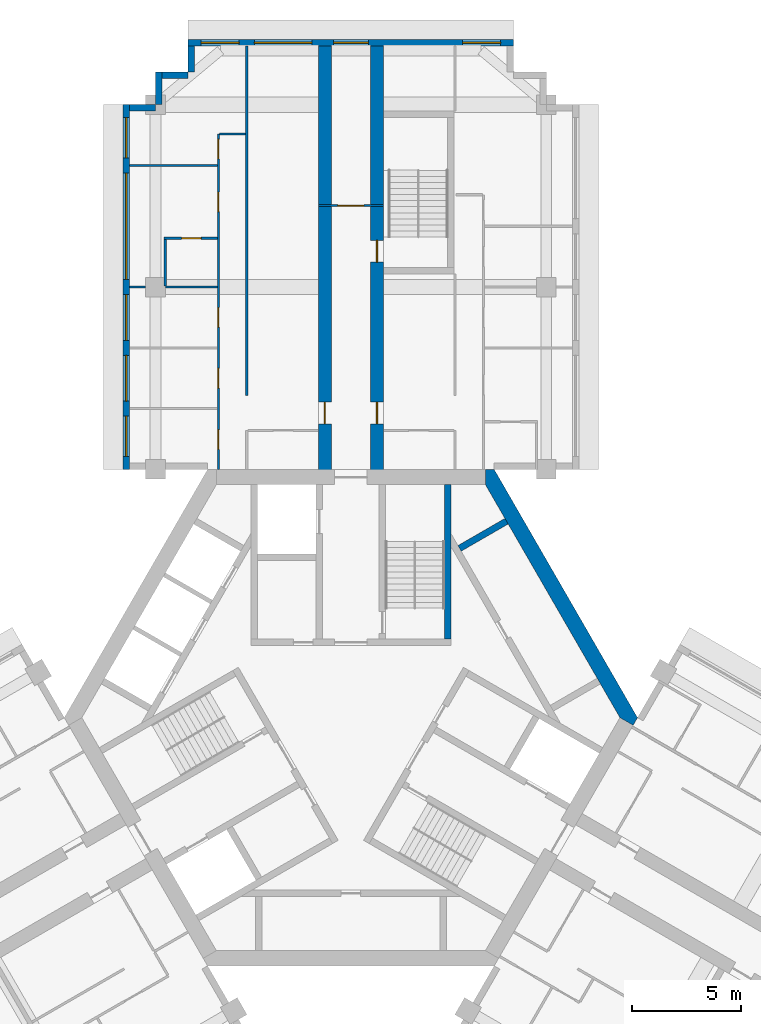
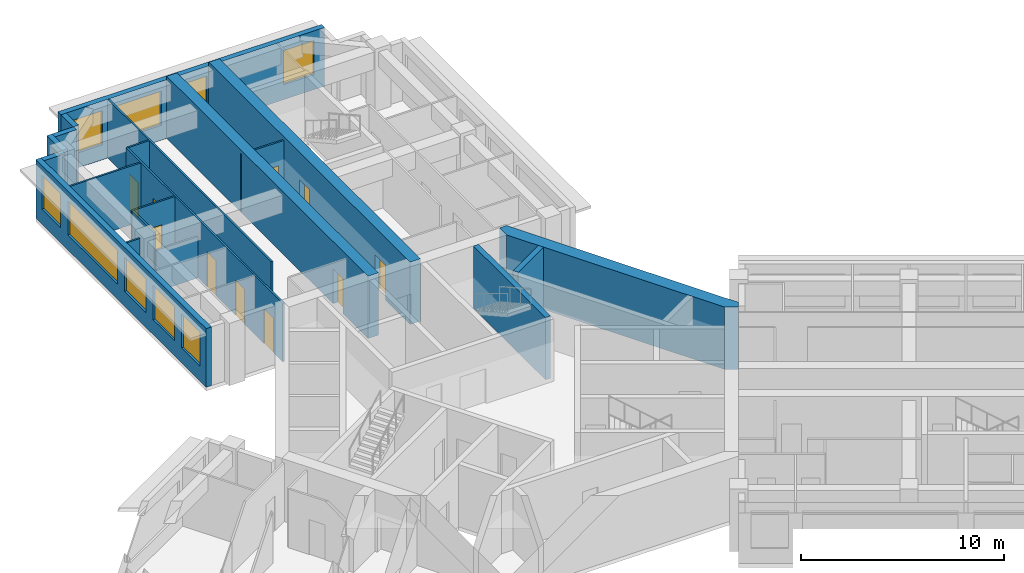
# One storey, part 7 of 10: 20 walls, 10 doors, 9 windows, 19 openings.
"""IFC4 building model written with IfcOpenShell, lengths in metres."""

from ifc_helpers import new_model, si_unit, direction, frame, frame_2d, origin, place, context, subcontext, project, spatial, polyline, rectangle, outline, extrude, material, layer, layer_set, type_object, element, fill, save


model = new_model("IFC4")

# Units and contexts
model_context = context("Model", 3, precision=1e-05, world=origin(), true_north=direction((0.0, 1.0)))
body_context = subcontext(model_context, "Body", "Model", "MODEL_VIEW")
ifc_project = project(units=[si_unit("LENGTHUNIT", "METRE"), si_unit("AREAUNIT", "SQUARE_METRE"), si_unit("VOLUMEUNIT", "CUBIC_METRE"), si_unit("PLANEANGLEUNIT", "RADIAN"), si_unit("MASSUNIT", "GRAM", prefix="KILO")], contexts=[model_context])

# Site, building, storey
site_placement = place(None, origin())
site = spatial("IfcSite", under=ifc_project, at=site_placement, CompositionType="ELEMENT")
building_placement = place(site_placement, origin())
building = spatial("IfcBuilding", under=site, at=building_placement, Name="Impinga Residences", CompositionType="ELEMENT")
storey_placement = place(building_placement, frame((0.0, 0.0, 233.5)))
storey = spatial("IfcBuildingStorey", under=building, at=storey_placement, Name="L58", CompositionType="ELEMENT", Elevation=233.5)

# Wall, opening, door
ifc_material_1 = material(Name="Concrete C60/75", Category="concrete")
ifc_layer_1 = layer(ifc_material_1, 0.60009765625)
ifc_layer_set_1 = layer_set([ifc_layer_1], Name="Concrete C60/75")
wall_type_1 = type_object("IfcWallType", Name="BW3 corridor buttress wall, L46 to L73 600", PredefinedType="SHEAR", material=ifc_layer_set_1)
wall_1_placement = place(storey_placement, frame((-1.199951171875, 11.08154296875, 0.0), z_axis=(0.0, 0.0, 1.0), x_axis=(0.0, 1.0, 0.0)))
wall_1 = element("IfcWall", 1, at=wall_1_placement, inside=storey, type_object=wall_type_1, Name="Corridor wall BW3 NC L58", PredefinedType="SHEAR", context=body_context, shape_type="SweptSolid", body=[
    extrude(rectangle(XDim=19.85009765625, YDim=0.60009765625, at=frame_2d((9.925048828125, 0.0))), origin(), (0.0, 0.0, 1.0), 3.75),
])
opening_1_placement = place(wall_1_placement, frame((2.449951171875, 0.0, 0.0)))
opening_1 = element("IfcOpeningElement", 2, at=opening_1_placement, cuts=wall_1, Name="Opening D1", PredefinedType="OPENING", context=body_context, shape_type="SweptSolid", body=[
    extrude(rectangle(XDim=1.0, YDim=2.10009765625, at=frame_2d((0.5, 1.050048828125))), frame((0.0, 0.31005859375, 0.0), z_axis=(0.0, -1.0, 0.0), x_axis=(1.0, 0.0, 0.0)), (0.0, 0.0, 1.0), 0.6201171875),
])
ifc_material_2 = material(Name="Timber door set", Category="wood")
door_type_1 = type_object("IfcDoorType", Name="D1 apartment entrance door 1000x2100", OperationType="SINGLE_SWING_LEFT", PredefinedType="DOOR", material=ifc_material_2)
door_1_placement = place(opening_1_placement, origin())
door_1 = element("IfcDoor", 3, at=door_1_placement, inside=storey, type_object=door_type_1, Name="Apartment L58-NA1 entrance", OperationType="SINGLE_SWING_LEFT", OverallHeight=2.10009765625, OverallWidth=1.0, PredefinedType="DOOR", context=body_context, shape_type="SweptSolid", body=[
    extrude(rectangle(XDim=1.0, YDim=2.10009765625, at=frame_2d((0.5, 1.050048828125))), frame((0.0, 0.02490234375, 0.0), z_axis=(0.0, -1.0, 0.0), x_axis=(1.0, 0.0, 0.0)), (0.0, 0.0, 1.0), 0.050048828125),
])
fill(opening_1, door_1)

# Wall, openings, doors
wall_2_placement = place(storey_placement, frame((1.199951171875, 11.08154296875, 0.0), z_axis=(0.0, 0.0, 1.0), x_axis=(0.0, 1.0, 0.0)))
wall_2 = element("IfcWall", 4, at=wall_2_placement, inside=storey, type_object=wall_type_1, Name="Corridor wall BW3 ND L58", PredefinedType="SHEAR", context=body_context, shape_type="SweptSolid", body=[
    extrude(rectangle(XDim=19.85009765625, YDim=0.60009765625, at=frame_2d((9.925048828125, 0.0))), origin(), (0.0, 0.0, 1.0), 3.75),
])
opening_2_placement = place(wall_2_placement, frame((9.89990234375, 0.0, 0.0)))
opening_2 = element("IfcOpeningElement", 5, at=opening_2_placement, cuts=wall_2, Name="Opening D5", PredefinedType="OPENING", context=body_context, shape_type="SweptSolid", body=[
    extrude(rectangle(XDim=1.0, YDim=2.10009765625, at=frame_2d((0.5, 1.050048828125))), frame((0.0, 0.31005859375, 0.0), z_axis=(0.0, -1.0, 0.0), x_axis=(1.0, 0.0, 0.0)), (0.0, 0.0, 1.0), 0.6201171875),
])
opening_3_placement = place(wall_2_placement, frame((2.449951171875, 0.0, 0.0)))
opening_3 = element("IfcOpeningElement", 6, at=opening_3_placement, cuts=wall_2, Name="Opening D1", PredefinedType="OPENING", context=body_context, shape_type="SweptSolid", body=[
    extrude(rectangle(XDim=1.0, YDim=2.10009765625, at=frame_2d((0.5, 1.050048828125))), frame((0.0, 0.31005859375, 0.0), z_axis=(0.0, -1.0, 0.0), x_axis=(1.0, 0.0, 0.0)), (0.0, 0.0, 1.0), 0.6201171875),
])
door_2_placement = place(opening_3_placement, origin())
door_2 = element("IfcDoor", 7, at=door_2_placement, inside=storey, type_object=door_type_1, Name="Apartment L58-NF1 entrance", OperationType="SINGLE_SWING_LEFT", OverallHeight=2.10009765625, OverallWidth=1.0, PredefinedType="DOOR", context=body_context, shape_type="SweptSolid", body=[
    extrude(rectangle(XDim=1.0, YDim=2.10009765625, at=frame_2d((0.5, 1.050048828125))), frame((0.0, 0.02490234375, 0.0), z_axis=(0.0, -1.0, 0.0), x_axis=(1.0, 0.0, 0.0)), (0.0, 0.0, 1.0), 0.050048828125),
])
fill(opening_3, door_2)
door_type_2 = type_object("IfcDoorType", Name="D5 stair door 1000x2100", OperationType="SINGLE_SWING_LEFT", PredefinedType="DOOR", material=ifc_material_2)
door_3_placement = place(opening_2_placement, origin())
door_3 = element("IfcDoor", 8, at=door_3_placement, inside=storey, type_object=door_type_2, Name="Wing stair door N", OperationType="SINGLE_SWING_RIGHT", OverallHeight=2.10009765625, OverallWidth=1.0, PredefinedType="DOOR", context=body_context, shape_type="SweptSolid", body=[
    extrude(rectangle(XDim=1.0, YDim=2.10009765625, at=frame_2d((0.5, 1.050048828125))), frame((0.0, 0.02490234375, 0.0), z_axis=(0.0, -1.0, 0.0), x_axis=(1.0, 0.0, 0.0)), (0.0, 0.0, 1.0), 0.050048828125),
])
fill(opening_2, door_3)

# Wall, opening, door
ifc_material_3 = material(Name="Concrete blockwork", Category="masonry")
ifc_layer_2 = layer(ifc_material_3, 0.10009765625)
ifc_layer_set_2 = layer_set([ifc_layer_2], Name="CP1 core room partition, blockwork 100")
wall_type_2 = type_object("IfcWallType", Name="CP1 core room partition, blockwork 100", PredefinedType="PARTITIONING", material=ifc_layer_set_2)
wall_3_placement = place(storey_placement, frame((-1.5, 23.58154296875, 0.0), z_axis=(0.0, 0.0, 1.0), x_axis=(1.0, 0.0, 0.0)))
wall_3 = element("IfcWall", 9, at=wall_3_placement, inside=storey, type_object=wall_type_2, Name="Core room partition, blockwork L58:N:LNG", PredefinedType="PARTITIONING", context=body_context, shape_type="SweptSolid", body=[
    extrude(rectangle(XDim=3.0, YDim=0.10009765625, at=frame_2d((1.5, 0.0))), origin(), (0.0, 0.0, 1.0), 3.530029296875),
])
opening_4_placement = place(wall_3_placement, frame((0.89990234375, 0.0, 0.0)))
opening_4 = element("IfcOpeningElement", 10, at=opening_4_placement, cuts=wall_3, Name="Opening D3", PredefinedType="OPENING", context=body_context, shape_type="SweptSolid", body=[
    extrude(rectangle(XDim=1.199951171875, YDim=2.10009765625, at=frame_2d((0.60009765625, 1.050048828125))), frame((0.0, 0.06005859375, 0.0), z_axis=(0.0, -1.0, 0.0), x_axis=(1.0, 0.0, 0.0)), (0.0, 0.0, 1.0), 0.1201171875),
])
door_type_3 = type_object("IfcDoorType", Name="D3 room door, leaf and a half 1200x2100", OperationType="DOUBLE_SWING_LEFT", PredefinedType="DOOR", material=ifc_material_2)
door_4_placement = place(opening_4_placement, origin())
door_4 = element("IfcDoor", 11, at=door_4_placement, inside=storey, type_object=door_type_3, Name="Residents' lounge door N", OperationType="DOUBLE_SWING_LEFT", OverallHeight=2.10009765625, OverallWidth=1.199951171875, PredefinedType="DOOR", context=body_context, shape_type="SweptSolid", body=[
    extrude(rectangle(XDim=1.199951171875, YDim=2.10009765625, at=frame_2d((0.60009765625, 1.050048828125))), frame((0.0, 0.02490234375, 0.0), z_axis=(0.0, -1.0, 0.0), x_axis=(1.0, 0.0, 0.0)), (0.0, 0.0, 1.0), 0.050048828125),
])
fill(opening_4, door_4)

# Wall, openings, windows
ifc_material_4 = material(Name="Terracotta rainscreen on blockwork", Category="masonry")
ifc_layer_3 = layer(ifc_material_4, 0.300048828125)
ifc_layer_set_3 = layer_set([ifc_layer_3], Name="EW1 external wall, terracotta rainscreen on blockwork 300")
wall_type_3 = type_object("IfcWallType", Name="EW1 external wall, terracotta rainscreen on blockwork 300", PredefinedType="SOLIDWALL", material=ifc_layer_set_3)
wall_4_placement = place(storey_placement, frame((-10.35009765625, 11.431640625, 0.0), z_axis=(0.0, 0.0, 1.0), x_axis=(0.0, 1.0, 0.0)))
wall_4 = element("IfcWall", 12, at=wall_4_placement, inside=storey, type_object=wall_type_3, Name="External wall EW1 L58", PredefinedType="SOLIDWALL", context=body_context, shape_type="SweptSolid", body=[
    extrude(rectangle(XDim=16.7998046875, YDim=0.300048828125, at=frame_2d((8.39990234375, 0.0))), origin(), (0.0, 0.0, 1.0), 3.530029296875),
])
opening_5_placement = place(wall_4_placement, frame((0.60009765625, 0.0, 0.89990234375)))
opening_5 = element("IfcOpeningElement", 13, at=opening_5_placement, cuts=wall_4, Name="Opening W15", PredefinedType="OPENING", context=body_context, shape_type="SweptSolid", body=[
    extrude(rectangle(XDim=1.85009765625, YDim=2.050048828125, at=frame_2d((0.925048828125, 1.02490234375))), frame((0.0, 0.159912109375, 0.0), z_axis=(0.0, -1.0, 0.0), x_axis=(1.0, 0.0, 0.0)), (0.0, 0.0, 1.0), 0.320068359375),
])
opening_6_placement = place(wall_4_placement, frame((3.14990234375, 0.0, 0.89990234375)))
opening_6 = element("IfcOpeningElement", 14, at=opening_6_placement, cuts=wall_4, Name="Opening W9", PredefinedType="OPENING", context=body_context, shape_type="SweptSolid", body=[
    extrude(rectangle(XDim=2.10009765625, YDim=2.050048828125, at=frame_2d((1.050048828125, 1.02490234375))), frame((0.0, 0.159912109375, 0.0), z_axis=(0.0, -1.0, 0.0), x_axis=(1.0, 0.0, 0.0)), (0.0, 0.0, 1.0), 0.320068359375),
])
opening_7_placement = place(wall_4_placement, frame((5.949951171875, 0.0, 0.89990234375)))
opening_7 = element("IfcOpeningElement", 15, at=opening_7_placement, cuts=wall_4, Name="Opening W9", PredefinedType="OPENING", context=body_context, shape_type="SweptSolid", body=[
    extrude(rectangle(XDim=2.10009765625, YDim=2.050048828125, at=frame_2d((1.050048828125, 1.02490234375))), frame((0.0, 0.159912109375, 0.0), z_axis=(0.0, -1.0, 0.0), x_axis=(1.0, 0.0, 0.0)), (0.0, 0.0, 1.0), 0.320068359375),
])
opening_8_placement = place(wall_4_placement, frame((8.75, 0.0, 0.89990234375)))
opening_8 = element("IfcOpeningElement", 16, at=opening_8_placement, cuts=wall_4, Name="Opening W16", PredefinedType="OPENING", context=body_context, shape_type="SweptSolid", body=[
    extrude(rectangle(XDim=4.89990234375, YDim=2.050048828125, at=frame_2d((2.449951171875, 1.02490234375))), frame((0.0, 0.159912109375, 0.0), z_axis=(0.0, -1.0, 0.0), x_axis=(1.0, 0.0, 0.0)), (0.0, 0.0, 1.0), 0.320068359375),
])
opening_9_placement = place(wall_4_placement, frame((14.35009765625, 0.0, 0.89990234375)))
opening_9 = element("IfcOpeningElement", 17, at=opening_9_placement, cuts=wall_4, Name="Opening W15", PredefinedType="OPENING", context=body_context, shape_type="SweptSolid", body=[
    extrude(rectangle(XDim=1.85009765625, YDim=2.050048828125, at=frame_2d((0.925048828125, 1.02490234375))), frame((0.0, 0.159912109375, 0.0), z_axis=(0.0, -1.0, 0.0), x_axis=(1.0, 0.0, 0.0)), (0.0, 0.0, 1.0), 0.320068359375),
])
ifc_material_5 = material(Name="Aluminium window, clear double glazing", Category="aluminium")
window_type_1 = type_object("IfcWindowType", Name="W15 ribbon window 1850x2050", PartitioningType="SINGLE_PANEL", PredefinedType="WINDOW", material=ifc_material_5)
window_1_placement = place(opening_5_placement, origin())
window_1 = element("IfcWindow", 18, at=window_1_placement, inside=storey, type_object=window_type_1, Name="Window L58", OverallHeight=2.050048828125, OverallWidth=1.85009765625, PartitioningType="SINGLE_PANEL", PredefinedType="WINDOW", context=body_context, shape_type="SweptSolid", body=[
    extrude(rectangle(XDim=1.85009765625, YDim=2.050048828125, at=frame_2d((0.925048828125, 1.02490234375))), frame((0.0, 0.030029296875, 0.0), z_axis=(0.0, -1.0, 0.0), x_axis=(1.0, 0.0, 0.0)), (0.0, 0.0, 1.0), 0.06005859375),
])
fill(opening_5, window_1)
window_2_placement = place(opening_9_placement, origin())
window_2 = element("IfcWindow", 19, at=window_2_placement, inside=storey, type_object=window_type_1, Name="Window L58", OverallHeight=2.050048828125, OverallWidth=1.85009765625, PartitioningType="SINGLE_PANEL", PredefinedType="WINDOW", context=body_context, shape_type="SweptSolid", body=[
    extrude(rectangle(XDim=1.85009765625, YDim=2.050048828125, at=frame_2d((0.925048828125, 1.02490234375))), frame((0.0, 0.030029296875, 0.0), z_axis=(0.0, -1.0, 0.0), x_axis=(1.0, 0.0, 0.0)), (0.0, 0.0, 1.0), 0.06005859375),
])
fill(opening_9, window_2)
window_type_2 = type_object("IfcWindowType", Name="W16 ribbon window 4900x2050", PartitioningType="SINGLE_PANEL", PredefinedType="WINDOW", material=ifc_material_5)
window_3_placement = place(opening_8_placement, origin())
window_3 = element("IfcWindow", 20, at=window_3_placement, inside=storey, type_object=window_type_2, Name="Window L58", OverallHeight=2.050048828125, OverallWidth=4.89990234375, PartitioningType="SINGLE_PANEL", PredefinedType="WINDOW", context=body_context, shape_type="SweptSolid", body=[
    extrude(rectangle(XDim=4.89990234375, YDim=2.050048828125, at=frame_2d((2.449951171875, 1.02490234375))), frame((0.0, 0.030029296875, 0.0), z_axis=(0.0, -1.0, 0.0), x_axis=(1.0, 0.0, 0.0)), (0.0, 0.0, 1.0), 0.06005859375),
])
fill(opening_8, window_3)
window_type_3 = type_object("IfcWindowType", Name="W9 ribbon window 2100x2050", PartitioningType="SINGLE_PANEL", PredefinedType="WINDOW", material=ifc_material_5)
window_4_placement = place(opening_6_placement, origin())
window_4 = element("IfcWindow", 21, at=window_4_placement, inside=storey, type_object=window_type_3, Name="Window L58", OverallHeight=2.050048828125, OverallWidth=2.10009765625, PartitioningType="SINGLE_PANEL", PredefinedType="WINDOW", context=body_context, shape_type="SweptSolid", body=[
    extrude(rectangle(XDim=2.10009765625, YDim=2.050048828125, at=frame_2d((1.050048828125, 1.02490234375))), frame((0.0, 0.030029296875, 0.0), z_axis=(0.0, -1.0, 0.0), x_axis=(1.0, 0.0, 0.0)), (0.0, 0.0, 1.0), 0.06005859375),
])
fill(opening_6, window_4)
window_5_placement = place(opening_7_placement, origin())
window_5 = element("IfcWindow", 22, at=window_5_placement, inside=storey, type_object=window_type_3, Name="Window L58", OverallHeight=2.050048828125, OverallWidth=2.10009765625, PartitioningType="SINGLE_PANEL", PredefinedType="WINDOW", context=body_context, shape_type="SweptSolid", body=[
    extrude(rectangle(XDim=2.10009765625, YDim=2.050048828125, at=frame_2d((1.050048828125, 1.02490234375))), frame((0.0, 0.030029296875, 0.0), z_axis=(0.0, -1.0, 0.0), x_axis=(1.0, 0.0, 0.0)), (0.0, 0.0, 1.0), 0.06005859375),
])
fill(opening_7, window_5)

# Walls
wall_5_placement = place(storey_placement, frame((-10.199951171875, 28.08154296875, 0.0), z_axis=(0.0, 0.0, 1.0), x_axis=(1.0, 0.0, 0.0)))
element("IfcWall", 23, at=wall_5_placement, inside=storey, type_object=wall_type_3, Name="External wall EW1 L58", PredefinedType="SOLIDWALL", context=body_context, shape_type="SweptSolid", body=[
    extrude(rectangle(XDim=1.199951171875, YDim=0.300048828125, at=frame_2d((0.60009765625, 0.0))), origin(), (0.0, 0.0, 1.0), 3.530029296875),
])
wall_6_placement = place(storey_placement, frame((-8.85009765625, 28.236572265625, 0.0), z_axis=(0.0, 0.0, 1.0), x_axis=(0.0, 1.0, 0.0)))
element("IfcWall", 24, at=wall_6_placement, inside=storey, type_object=wall_type_3, Name="External wall EW1 L58", PredefinedType="SOLIDWALL", context=body_context, shape_type="SweptSolid", body=[
    extrude(rectangle(XDim=1.494873046875, YDim=0.300048828125, at=frame_2d((0.74755859375, 0.0))), origin(), (0.0, 0.0, 1.0), 3.530029296875),
])
wall_7_placement = place(storey_placement, frame((-8.699951171875, 29.58154296875, 0.0), z_axis=(0.0, 0.0, 1.0), x_axis=(1.0, 0.0, 0.0)))
element("IfcWall", 25, at=wall_7_placement, inside=storey, type_object=wall_type_3, Name="External wall EW1 L58", PredefinedType="SOLIDWALL", context=body_context, shape_type="SweptSolid", body=[
    extrude(rectangle(XDim=1.199951171875, YDim=0.300048828125, at=frame_2d((0.60009765625, 0.0))), origin(), (0.0, 0.0, 1.0), 3.530029296875),
])
wall_8_placement = place(storey_placement, frame((-7.35009765625, 29.736572265625, 0.0), z_axis=(0.0, 0.0, 1.0), x_axis=(0.0, 1.0, 0.0)))
element("IfcWall", 26, at=wall_8_placement, inside=storey, type_object=wall_type_3, Name="External wall EW1 L58", PredefinedType="SOLIDWALL", context=body_context, shape_type="SweptSolid", body=[
    extrude(rectangle(XDim=1.195068359375, YDim=0.300048828125, at=frame_2d((0.59765625, 0.0))), origin(), (0.0, 0.0, 1.0), 3.530029296875),
])

# Wall, openings, windows
wall_9_placement = place(storey_placement, frame((-7.5, 31.08154296875, 0.0), z_axis=(0.0, 0.0, 1.0), x_axis=(1.0, 0.0, 0.0)))
wall_9 = element("IfcWall", 27, at=wall_9_placement, inside=storey, type_object=wall_type_3, Name="External wall EW1 L58", PredefinedType="SOLIDWALL", context=body_context, shape_type="SweptSolid", body=[
    extrude(rectangle(XDim=15.0, YDim=0.300048828125, at=frame_2d((7.5, 0.0))), origin(), (0.0, 0.0, 1.0), 3.530029296875),
])
opening_10_placement = place(wall_9_placement, frame((0.60009765625, 0.0, 0.89990234375)))
opening_10 = element("IfcOpeningElement", 28, at=opening_10_placement, cuts=wall_9, Name="Opening W1", PredefinedType="OPENING", context=body_context, shape_type="SweptSolid", body=[
    extrude(rectangle(XDim=1.75, YDim=2.050048828125, at=frame_2d((0.875, 1.02490234375))), frame((0.0, 0.159912109375, 0.0), z_axis=(0.0, -1.0, 0.0), x_axis=(1.0, 0.0, 0.0)), (0.0, 0.0, 1.0), 0.320068359375),
])
opening_11_placement = place(wall_9_placement, frame((3.050048828125, 0.0, 0.89990234375)))
opening_11 = element("IfcOpeningElement", 29, at=opening_11_placement, cuts=wall_9, Name="Opening W18", PredefinedType="OPENING", context=body_context, shape_type="SweptSolid", body=[
    extrude(rectangle(XDim=2.64990234375, YDim=2.050048828125, at=frame_2d((1.324951171875, 1.02490234375))), frame((0.0, 0.159912109375, 0.0), z_axis=(0.0, -1.0, 0.0), x_axis=(1.0, 0.0, 0.0)), (0.0, 0.0, 1.0), 0.320068359375),
])
opening_12_placement = place(wall_9_placement, frame((6.699951171875, 0.0, 0.89990234375)))
opening_12 = element("IfcOpeningElement", 30, at=opening_12_placement, cuts=wall_9, Name="Opening W19", PredefinedType="OPENING", context=body_context, shape_type="SweptSolid", body=[
    extrude(rectangle(XDim=1.60009765625, YDim=2.050048828125, at=frame_2d((0.800048828125, 1.02490234375))), frame((0.0, 0.159912109375, 0.0), z_axis=(0.0, -1.0, 0.0), x_axis=(1.0, 0.0, 0.0)), (0.0, 0.0, 1.0), 0.320068359375),
])
opening_13_placement = place(wall_9_placement, frame((12.64990234375, 0.0, 0.89990234375)))
opening_13 = element("IfcOpeningElement", 31, at=opening_13_placement, cuts=wall_9, Name="Opening W1", PredefinedType="OPENING", context=body_context, shape_type="SweptSolid", body=[
    extrude(rectangle(XDim=1.75, YDim=2.050048828125, at=frame_2d((0.875, 1.02490234375))), frame((0.0, 0.159912109375, 0.0), z_axis=(0.0, -1.0, 0.0), x_axis=(1.0, 0.0, 0.0)), (0.0, 0.0, 1.0), 0.320068359375),
])
window_type_4 = type_object("IfcWindowType", Name="W1 ribbon window 1750x2050", PartitioningType="SINGLE_PANEL", PredefinedType="WINDOW", material=ifc_material_5)
window_6_placement = place(opening_10_placement, origin())
window_6 = element("IfcWindow", 32, at=window_6_placement, inside=storey, type_object=window_type_4, Name="Window L58", OverallHeight=2.050048828125, OverallWidth=1.75, PartitioningType="SINGLE_PANEL", PredefinedType="WINDOW", context=body_context, shape_type="SweptSolid", body=[
    extrude(rectangle(XDim=1.75, YDim=2.050048828125, at=frame_2d((0.875, 1.02490234375))), frame((0.0, 0.030029296875, 0.0), z_axis=(0.0, -1.0, 0.0), x_axis=(1.0, 0.0, 0.0)), (0.0, 0.0, 1.0), 0.06005859375),
])
fill(opening_10, window_6)
window_7_placement = place(opening_13_placement, origin())
window_7 = element("IfcWindow", 33, at=window_7_placement, inside=storey, type_object=window_type_4, Name="Window L58", OverallHeight=2.050048828125, OverallWidth=1.75, PartitioningType="SINGLE_PANEL", PredefinedType="WINDOW", context=body_context, shape_type="SweptSolid", body=[
    extrude(rectangle(XDim=1.75, YDim=2.050048828125, at=frame_2d((0.875, 1.02490234375))), frame((0.0, 0.030029296875, 0.0), z_axis=(0.0, -1.0, 0.0), x_axis=(1.0, 0.0, 0.0)), (0.0, 0.0, 1.0), 0.06005859375),
])
fill(opening_13, window_7)
window_type_5 = type_object("IfcWindowType", Name="W18 ribbon window 2650x2050", PartitioningType="SINGLE_PANEL", PredefinedType="WINDOW", material=ifc_material_5)
window_8_placement = place(opening_11_placement, origin())
window_8 = element("IfcWindow", 34, at=window_8_placement, inside=storey, type_object=window_type_5, Name="Window L58", OverallHeight=2.050048828125, OverallWidth=2.64990234375, PartitioningType="SINGLE_PANEL", PredefinedType="WINDOW", context=body_context, shape_type="SweptSolid", body=[
    extrude(rectangle(XDim=2.64990234375, YDim=2.050048828125, at=frame_2d((1.324951171875, 1.02490234375))), frame((0.0, 0.030029296875, 0.0), z_axis=(0.0, -1.0, 0.0), x_axis=(1.0, 0.0, 0.0)), (0.0, 0.0, 1.0), 0.06005859375),
])
fill(opening_11, window_8)
window_type_6 = type_object("IfcWindowType", Name="W19 ribbon window 1600x2050", PartitioningType="SINGLE_PANEL", PredefinedType="WINDOW", material=ifc_material_5)
window_9_placement = place(opening_12_placement, origin())
window_9 = element("IfcWindow", 35, at=window_9_placement, inside=storey, type_object=window_type_6, Name="Window L58", OverallHeight=2.050048828125, OverallWidth=1.60009765625, PartitioningType="SINGLE_PANEL", PredefinedType="WINDOW", context=body_context, shape_type="SweptSolid", body=[
    extrude(rectangle(XDim=1.60009765625, YDim=2.050048828125, at=frame_2d((0.800048828125, 1.02490234375))), frame((0.0, 0.030029296875, 0.0), z_axis=(0.0, -1.0, 0.0), x_axis=(1.0, 0.0, 0.0)), (0.0, 0.0, 1.0), 0.06005859375),
])
fill(opening_12, window_9)

# Wall
ifc_material_6 = material(Name="Gypsum board on steel studs", Category="steel")
ifc_layer_4 = layer(ifc_material_6, 0.10009765625)
ifc_layer_set_4 = layer_set([ifc_layer_4], Name="Gypsum board on steel studs")
wall_type_4 = type_object("IfcWallType", Name="IP1 partition 100", PredefinedType="PARTITIONING", material=ifc_layer_set_4)
wall_10_placement = place(storey_placement, frame((-4.800048828125, 14.83154296875, 0.0), z_axis=(0.0, 0.0, 1.0), x_axis=(0.0, 1.0, 0.0)))
element("IfcWall", 36, at=wall_10_placement, inside=storey, type_object=wall_type_4, Name="Partition L58-NA1:DIV1", PredefinedType="PARTITIONING", context=body_context, shape_type="SweptSolid", body=[
    extrude(rectangle(XDim=16.10009765625, YDim=0.10009765625, at=frame_2d((8.050048828125, 0.0))), origin(), (0.0, 0.0, 1.0), 3.530029296875),
])

# Wall, openings, doors
wall_11_placement = place(storey_placement, frame((-6.10009765625, 11.431640625, 0.0), z_axis=(0.0, 0.0, 1.0), x_axis=(0.0, 1.0, 0.0)))
wall_11 = element("IfcWall", 37, at=wall_11_placement, inside=storey, type_object=wall_type_4, Name="Partition L58-NA1:STRIP", PredefinedType="PARTITIONING", context=body_context, shape_type="SweptSolid", body=[
    extrude(rectangle(XDim=15.449951171875, YDim=0.10009765625, at=frame_2d((7.72509765625, 0.0))), origin(), (0.0, 0.0, 1.0), 3.530029296875),
])
opening_14_placement = place(wall_11_placement, frame((0.925048828125, 0.0, 0.0)))
opening_14 = element("IfcOpeningElement", 38, at=opening_14_placement, cuts=wall_11, Name="Opening D2", PredefinedType="OPENING", context=body_context, shape_type="SweptSolid", body=[
    extrude(rectangle(XDim=0.89990234375, YDim=2.10009765625, at=frame_2d((0.449951171875, 1.050048828125))), frame((0.0, 0.06005859375, 0.0), z_axis=(0.0, -1.0, 0.0), x_axis=(1.0, 0.0, 0.0)), (0.0, 0.0, 1.0), 0.1201171875),
])
opening_15_placement = place(wall_11_placement, frame((3.75, 0.0, 0.0)))
opening_15 = element("IfcOpeningElement", 39, at=opening_15_placement, cuts=wall_11, Name="Opening D2", PredefinedType="OPENING", context=body_context, shape_type="SweptSolid", body=[
    extrude(rectangle(XDim=0.89990234375, YDim=2.10009765625, at=frame_2d((0.449951171875, 1.050048828125))), frame((0.0, 0.06005859375, 0.0), z_axis=(0.0, -1.0, 0.0), x_axis=(1.0, 0.0, 0.0)), (0.0, 0.0, 1.0), 0.1201171875),
])
opening_16_placement = place(wall_11_placement, frame((6.550048828125, 0.0, 0.0)))
opening_16 = element("IfcOpeningElement", 40, at=opening_16_placement, cuts=wall_11, Name="Opening D2", PredefinedType="OPENING", context=body_context, shape_type="SweptSolid", body=[
    extrude(rectangle(XDim=0.89990234375, YDim=2.10009765625, at=frame_2d((0.449951171875, 1.050048828125))), frame((0.0, 0.06005859375, 0.0), z_axis=(0.0, -1.0, 0.0), x_axis=(1.0, 0.0, 0.0)), (0.0, 0.0, 1.0), 0.1201171875),
])
opening_17_placement = place(wall_11_placement, frame((11.875, 0.0, 0.0)))
opening_17 = element("IfcOpeningElement", 41, at=opening_17_placement, cuts=wall_11, Name="Opening D2", PredefinedType="OPENING", context=body_context, shape_type="SweptSolid", body=[
    extrude(rectangle(XDim=0.89990234375, YDim=2.10009765625, at=frame_2d((0.449951171875, 1.050048828125))), frame((0.0, 0.06005859375, 0.0), z_axis=(0.0, -1.0, 0.0), x_axis=(1.0, 0.0, 0.0)), (0.0, 0.0, 1.0), 0.1201171875),
])
opening_18_placement = place(wall_11_placement, frame((14.300048828125, 0.0, 0.0)))
opening_18 = element("IfcOpeningElement", 42, at=opening_18_placement, cuts=wall_11, Name="Opening D2", PredefinedType="OPENING", context=body_context, shape_type="SweptSolid", body=[
    extrude(rectangle(XDim=0.89990234375, YDim=2.10009765625, at=frame_2d((0.449951171875, 1.050048828125))), frame((0.0, 0.06005859375, 0.0), z_axis=(0.0, -1.0, 0.0), x_axis=(1.0, 0.0, 0.0)), (0.0, 0.0, 1.0), 0.1201171875),
])
door_type_4 = type_object("IfcDoorType", Name="D2 internal door 900x2100", OperationType="SINGLE_SWING_LEFT", PredefinedType="DOOR", material=ifc_material_2)
door_5_placement = place(opening_14_placement, origin())
door_5 = element("IfcDoor", 43, at=door_5_placement, inside=storey, type_object=door_type_4, Name="Apartment L58-NA1 room door", OperationType="SINGLE_SWING_LEFT", OverallHeight=2.10009765625, OverallWidth=0.89990234375, PredefinedType="DOOR", context=body_context, shape_type="SweptSolid", body=[
    extrude(rectangle(XDim=0.89990234375, YDim=2.10009765625, at=frame_2d((0.449951171875, 1.050048828125))), frame((0.0, 0.02490234375, 0.0), z_axis=(0.0, -1.0, 0.0), x_axis=(1.0, 0.0, 0.0)), (0.0, 0.0, 1.0), 0.050048828125),
])
fill(opening_14, door_5)
door_6_placement = place(opening_15_placement, origin())
door_6 = element("IfcDoor", 44, at=door_6_placement, inside=storey, type_object=door_type_4, Name="Apartment L58-NA1 room door", OperationType="SINGLE_SWING_LEFT", OverallHeight=2.10009765625, OverallWidth=0.89990234375, PredefinedType="DOOR", context=body_context, shape_type="SweptSolid", body=[
    extrude(rectangle(XDim=0.89990234375, YDim=2.10009765625, at=frame_2d((0.449951171875, 1.050048828125))), frame((0.0, 0.02490234375, 0.0), z_axis=(0.0, -1.0, 0.0), x_axis=(1.0, 0.0, 0.0)), (0.0, 0.0, 1.0), 0.050048828125),
])
fill(opening_15, door_6)
door_7_placement = place(opening_16_placement, origin())
door_7 = element("IfcDoor", 45, at=door_7_placement, inside=storey, type_object=door_type_4, Name="Apartment L58-NA1 room door", OperationType="SINGLE_SWING_LEFT", OverallHeight=2.10009765625, OverallWidth=0.89990234375, PredefinedType="DOOR", context=body_context, shape_type="SweptSolid", body=[
    extrude(rectangle(XDim=0.89990234375, YDim=2.10009765625, at=frame_2d((0.449951171875, 1.050048828125))), frame((0.0, 0.02490234375, 0.0), z_axis=(0.0, -1.0, 0.0), x_axis=(1.0, 0.0, 0.0)), (0.0, 0.0, 1.0), 0.050048828125),
])
fill(opening_16, door_7)
door_8_placement = place(opening_17_placement, origin())
door_8 = element("IfcDoor", 46, at=door_8_placement, inside=storey, type_object=door_type_4, Name="Apartment L58-NA1 room door", OperationType="SINGLE_SWING_RIGHT", OverallHeight=2.10009765625, OverallWidth=0.89990234375, PredefinedType="DOOR", context=body_context, shape_type="SweptSolid", body=[
    extrude(rectangle(XDim=0.89990234375, YDim=2.10009765625, at=frame_2d((0.449951171875, 1.050048828125))), frame((0.0, 0.02490234375, 0.0), z_axis=(0.0, -1.0, 0.0), x_axis=(1.0, 0.0, 0.0)), (0.0, 0.0, 1.0), 0.050048828125),
])
fill(opening_17, door_8)
door_9_placement = place(opening_18_placement, origin())
door_9 = element("IfcDoor", 47, at=door_9_placement, inside=storey, type_object=door_type_4, Name="Apartment L58-NA1 room door", OperationType="SINGLE_SWING_RIGHT", OverallHeight=2.10009765625, OverallWidth=0.89990234375, PredefinedType="DOOR", context=body_context, shape_type="SweptSolid", body=[
    extrude(rectangle(XDim=0.89990234375, YDim=2.10009765625, at=frame_2d((0.449951171875, 1.050048828125))), frame((0.0, 0.02490234375, 0.0), z_axis=(0.0, -1.0, 0.0), x_axis=(1.0, 0.0, 0.0)), (0.0, 0.0, 1.0), 0.050048828125),
])
fill(opening_18, door_9)

# Walls
wall_12_placement = place(storey_placement, frame((-4.85009765625, 26.881591796875, 0.0), z_axis=(0.0, 0.0, 1.0), x_axis=(-1.0, 0.0, 0.0)))
element("IfcWall", 48, at=wall_12_placement, inside=storey, type_object=wall_type_4, Name="Partition L58-NA1:SE1", PredefinedType="PARTITIONING", context=body_context, shape_type="SweptSolid", body=[
    extrude(rectangle(XDim=1.199951171875, YDim=0.10009765625, at=frame_2d((0.60009765625, 0.0))), origin(), (0.0, 0.0, 1.0), 3.530029296875),
])
wall_13_placement = place(storey_placement, frame((-6.14990234375, 19.83154296875, 0.0), z_axis=(0.0, 0.0, 1.0), x_axis=(-1.0, 0.0, 0.0)))
element("IfcWall", 49, at=wall_13_placement, inside=storey, type_object=wall_type_4, Name="Partition L58-NA1:OB3", PredefinedType="PARTITIONING", context=body_context, shape_type="SweptSolid", body=[
    extrude(rectangle(XDim=2.400146484375, YDim=0.10009765625, at=frame_2d((1.2001953125, 0.0))), origin(), (0.0, 0.0, 1.0), 2.47998046875),
])
wall_14_placement = place(storey_placement, frame((-9.449951171875, 19.83154296875, 0.0), z_axis=(0.0, 0.0, 1.0), x_axis=(-1.0, 0.0, 0.0)))
element("IfcWall", 50, at=wall_14_placement, inside=storey, type_object=wall_type_4, Name="Partition L58-NA1:OB3b", PredefinedType="PARTITIONING", context=body_context, shape_type="SweptSolid", body=[
    extrude(rectangle(XDim=0.75, YDim=0.10009765625, at=frame_2d((0.375, 0.0))), origin(), (0.0, 0.0, 1.0), 3.530029296875),
])
wall_15_placement = place(storey_placement, frame((-6.14990234375, 25.431640625, 0.0), z_axis=(0.0, 0.0, 1.0), x_axis=(-1.0, 0.0, 0.0)))
element("IfcWall", 51, at=wall_15_placement, inside=storey, type_object=wall_type_4, Name="Partition L58-NA1:OB4", PredefinedType="PARTITIONING", context=body_context, shape_type="SweptSolid", body=[
    extrude(rectangle(XDim=4.050048828125, YDim=0.10009765625, at=frame_2d((2.02490234375, 0.0))), origin(), (0.0, 0.0, 1.0), 3.530029296875),
])

# Wall, opening, door
wall_16_placement = place(storey_placement, frame((-6.14990234375, 22.08154296875, 0.0), z_axis=(0.0, 0.0, 1.0), x_axis=(-1.0, 0.0, 0.0)))
wall_16 = element("IfcWall", 52, at=wall_16_placement, inside=storey, type_object=wall_type_4, Name="Partition L58-NA1:EN1", PredefinedType="PARTITIONING", context=body_context, shape_type="SweptSolid", body=[
    extrude(rectangle(XDim=2.4501953125, YDim=0.10009765625, at=frame_2d((1.22509765625, 0.0))), origin(), (0.0, 0.0, 1.0), 3.530029296875),
])
opening_19_placement = place(wall_16_placement, frame((0.75, 0.0, 0.0)))
opening_19 = element("IfcOpeningElement", 53, at=opening_19_placement, cuts=wall_16, Name="Opening D2", PredefinedType="OPENING", context=body_context, shape_type="SweptSolid", body=[
    extrude(rectangle(XDim=0.89990234375, YDim=2.10009765625, at=frame_2d((0.449951171875, 1.050048828125))), frame((0.0, 0.06005859375, 0.0), z_axis=(0.0, -1.0, 0.0), x_axis=(1.0, 0.0, 0.0)), (0.0, 0.0, 1.0), 0.1201171875),
])
door_10_placement = place(opening_19_placement, origin())
door_10 = element("IfcDoor", 54, at=door_10_placement, inside=storey, type_object=door_type_4, Name="Apartment L58-NA1 en-suite door", OperationType="SINGLE_SWING_LEFT", OverallHeight=2.10009765625, OverallWidth=0.89990234375, PredefinedType="DOOR", context=body_context, shape_type="SweptSolid", body=[
    extrude(rectangle(XDim=0.89990234375, YDim=2.10009765625, at=frame_2d((0.449951171875, 1.050048828125))), frame((0.0, 0.02490234375, 0.0), z_axis=(0.0, -1.0, 0.0), x_axis=(1.0, 0.0, 0.0)), (0.0, 0.0, 1.0), 0.050048828125),
])
fill(opening_19, door_10)

# Walls
wall_17_placement = place(storey_placement, frame((-8.550048828125, 19.881591796875, 0.0), z_axis=(0.0, 0.0, 1.0), x_axis=(0.0, 1.0, 0.0)))
element("IfcWall", 55, at=wall_17_placement, inside=storey, type_object=wall_type_4, Name="Partition L58-NA1:EN2", PredefinedType="PARTITIONING", context=body_context, shape_type="SweptSolid", body=[
    extrude(rectangle(XDim=2.14990234375, YDim=0.10009765625, at=frame_2d((1.074951171875, 0.0))), origin(), (0.0, 0.0, 1.0), 3.530029296875),
])
ifc_layer_5 = layer(ifc_material_1, 0.699951171875)
ifc_layer_set_5 = layer_set([ifc_layer_5], Name="Concrete C60/75")
wall_type_5 = type_object("IfcWallType", Name="SW3 core wall 700", PredefinedType="SHEAR", material=ifc_layer_set_5)
wall_18_placement = place(storey_placement, origin())
element("IfcWall", 56, at=wall_18_placement, inside=storey, type_object=wall_type_5, Name="Core wall SW3 W:EXPOSED L58", PredefinedType="SHEAR", context=body_context, shape_type="SweptSolid", body=[
    extrude(outline(polyline([(13.199951171875, 0.0), (6.60009765625, 11.431640625), (6.19580078125, 11.431640625), (6.19580078125, 10.7314453125), (12.3916015625, 0.0), (12.998046875, -0.35009765625), (13.199951171875, 0.0)])), origin(), (0.0, 0.0, 1.0), 3.75),
])
ifc_material_7 = material(Name="Concrete C70/85", Category="concrete")
ifc_layer_6 = layer(ifc_material_7, 0.300048828125)
ifc_layer_set_6 = layer_set([ifc_layer_6], Name="Concrete C70/85")
wall_type_6 = type_object("IfcWallType", Name="SW5 core inner wall, stairs, shafts and lobbies 300", PredefinedType="SHEAR", material=ifc_layer_set_6)
wall_19_placement = place(storey_placement, frame((4.449951171875, 3.6298828125, 0.0), z_axis=(0.0, 0.0, 1.0), x_axis=(0.0, 1.0, 0.0)))
element("IfcWall", 57, at=wall_19_placement, inside=storey, type_object=wall_type_6, Name="Core wall SW5 N:ST-OUT L58", PredefinedType="SHEAR", context=body_context, shape_type="SweptSolid", body=[
    extrude(rectangle(XDim=7.1015625, YDim=0.300048828125, at=frame_2d((3.55078125, 0.0))), origin(), (0.0, 0.0, 1.0), 3.75),
])
wall_20_placement = place(storey_placement, frame((5.003662109375, 7.79638671875, 0.0), z_axis=(0.0, 0.0, 1.0), x_axis=(0.866022959057, 0.500004234368, 0.0)))
element("IfcWall", 58, at=wall_20_placement, inside=storey, type_object=wall_type_6, Name="Core wall SW5 W:BANK-L L58", PredefinedType="SHEAR", context=body_context, shape_type="SweptSolid", body=[
    extrude(rectangle(XDim=2.5, YDim=0.300048828125, at=frame_2d((1.25, 0.0))), origin(), (0.0, 0.0, 1.0), 3.75),
])

save(model, "model.ifc")
